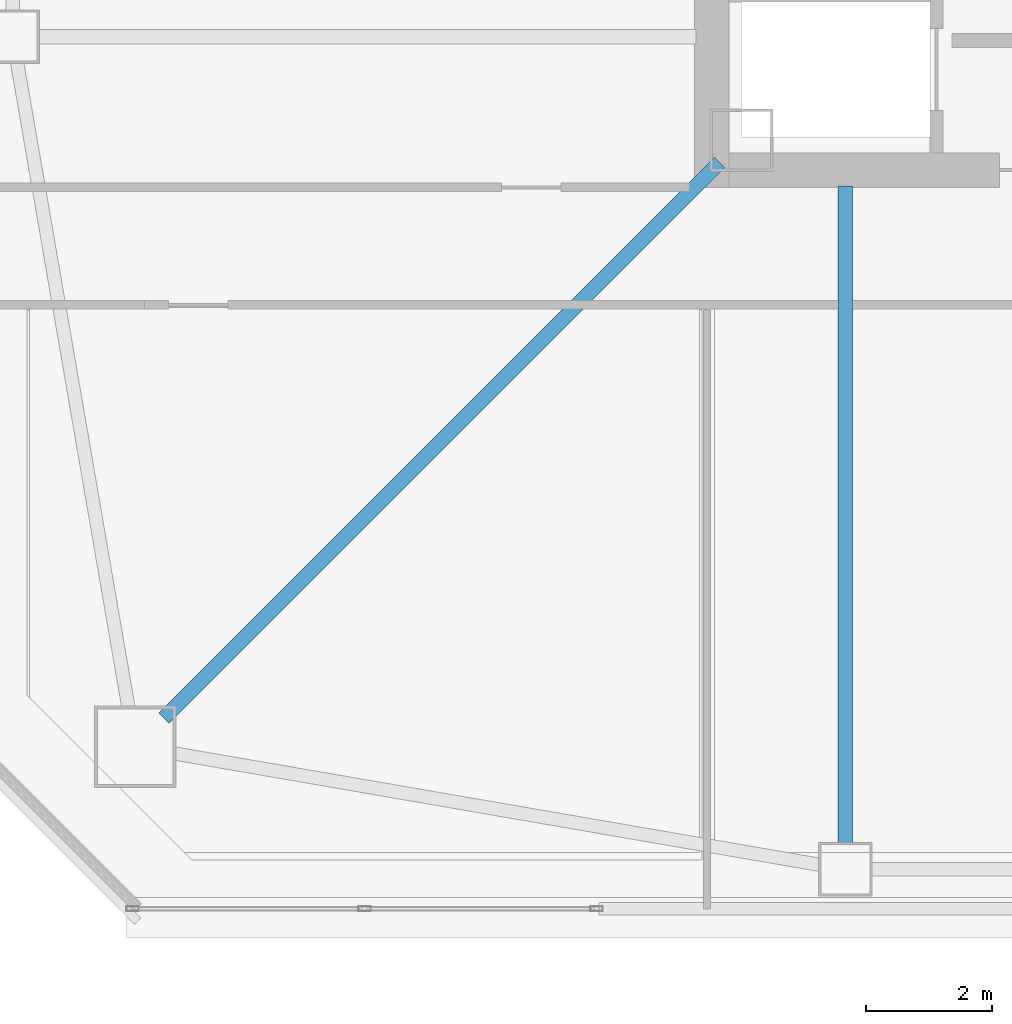
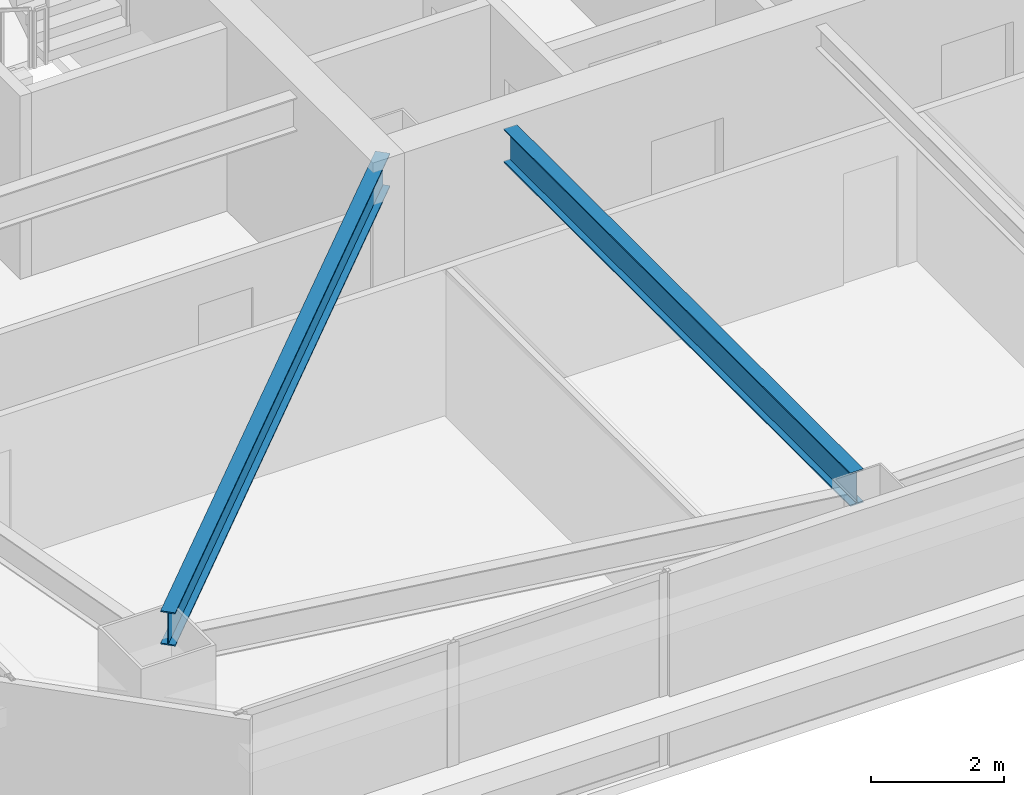
# One storey, part 5 of 44: 2 beams.
"""IFC4 building model written with IfcOpenShell, lengths in metres."""

from ifc_helpers import new_model, si_unit, direction, frame, origin, origin_2d, place, context, subcontext, project, spatial, i_section, extrude, material, material_profile, profile_set, type_object, element, save


model = new_model("IFC4")

# Units and contexts
model_context = context("Model", 3, precision=1e-05, world=origin(), true_north=direction((0.0, 1.0)))
body_context = subcontext(model_context, "Body", "Model", "MODEL_VIEW")
ifc_project = project(units=[si_unit("LENGTHUNIT", "METRE"), si_unit("AREAUNIT", "SQUARE_METRE"), si_unit("VOLUMEUNIT", "CUBIC_METRE"), si_unit("PLANEANGLEUNIT", "RADIAN"), si_unit("MASSUNIT", "GRAM", prefix="KILO")], contexts=[model_context])

# Site, building, storey
site_placement = place(None, origin())
site = spatial("IfcSite", under=ifc_project, at=site_placement, CompositionType="ELEMENT")
building_placement = place(site_placement, origin())
building = spatial("IfcBuilding", under=site, at=building_placement, Name="Tashvorn Skyway Center", CompositionType="ELEMENT")
storey_placement = place(building_placement, frame((0.0, 0.0, 128.60009765625)))
storey = spatial("IfcBuildingStorey", under=building, at=storey_placement, Name="L34", CompositionType="ELEMENT", Elevation=128.60009765625)

# Beams
ifc_material = material(Name="Steel ASTM A992 Grade 50", Category="steel")
ifc_material_profile = material_profile(ifc_material, i_section(OverallWidth=0.22998046875, OverallDepth=0.616943359375, WebThickness=0.01318359375, FlangeThickness=0.022216796875, at=origin_2d()), Name="W24X94")
ifc_profile_set = profile_set([ifc_material_profile], Name="Steel ASTM A992 Grade 50")
beam_type = type_object("IfcBeamType", Name="BM-BEAM-W24X94", PredefinedType="BEAM", material=ifc_profile_set)
beam_1_placement = place(storey_placement, frame((25.756103515625, 15.756103515625, 3.0615234375), z_axis=(0.707106781187, 0.707106781187, 0.0), x_axis=(-0.707106781187, 0.707106781187, 0.0)))
element("IfcBeam", 1, at=beam_1_placement, inside=storey, type_object=beam_type, Name="Tower 1 L34 Primary Floor Girder MC-SW", PredefinedType="BEAM", context=body_context, shape_type="SweptSolid", body=[
    extrude(i_section(OverallWidth=0.22998046875, OverallDepth=0.616943359375, WebThickness=0.01318359375, FlangeThickness=0.022216796875, at=origin_2d()), origin(), (0.0, 0.0, 1.0), 12.50732421875),
])
beam_2_placement = place(storey_placement, frame((36.60009765625, 13.77001953125, 3.0615234375), z_axis=(0.0, 1.0, 0.0), x_axis=(-1.0, 0.0, 0.0)))
element("IfcBeam", 2, at=beam_2_placement, inside=storey, type_object=beam_type, Name="Tower 1 L34 Primary Floor Girder FC-S1", PredefinedType="BEAM", context=body_context, shape_type="SweptSolid", body=[
    extrude(i_section(OverallWidth=0.22998046875, OverallDepth=0.616943359375, WebThickness=0.01318359375, FlangeThickness=0.022216796875, at=origin_2d()), origin(), (0.0, 0.0, 1.0), 10.449951171875),
])

save(model, "model.ifc")
